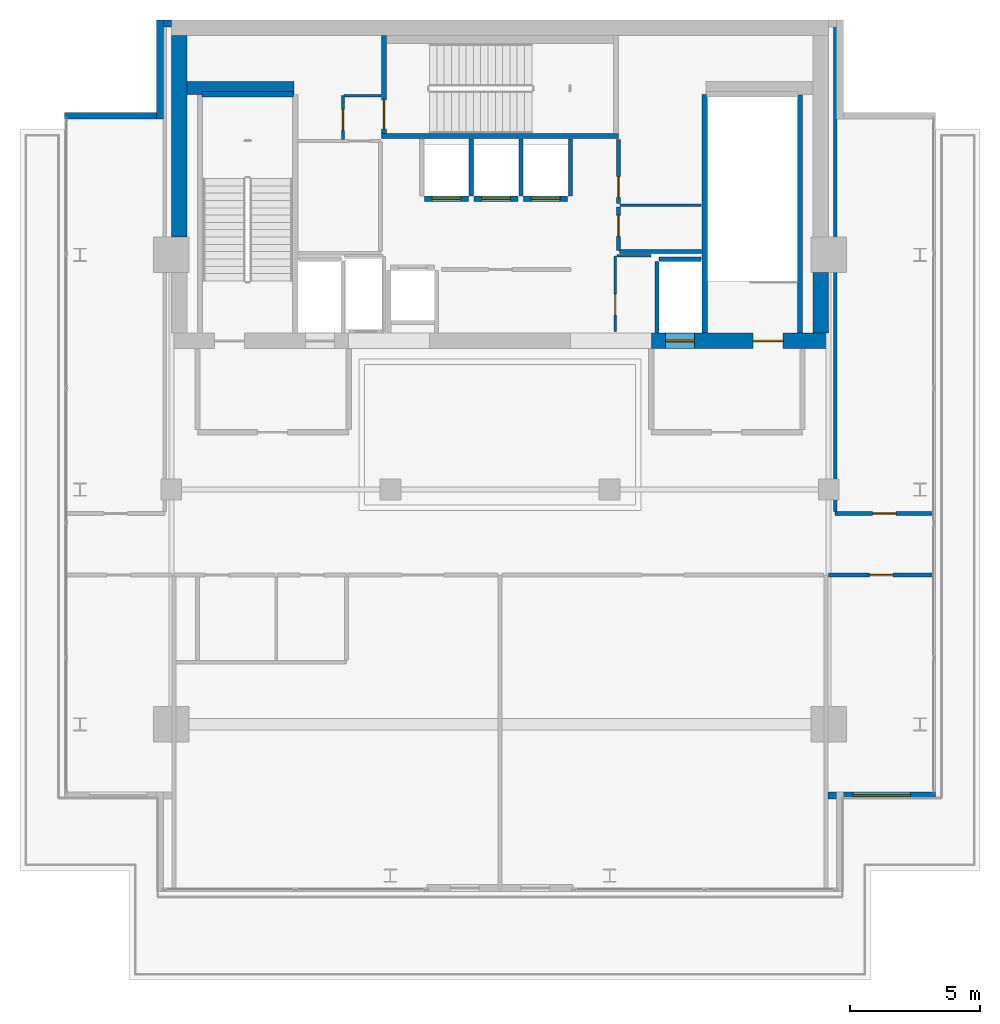
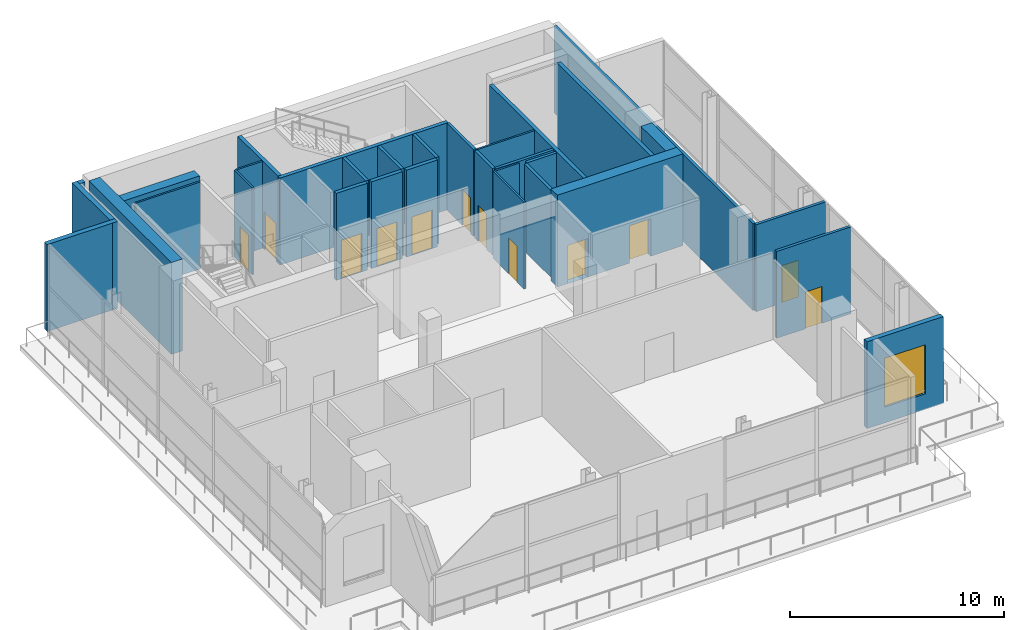
# One storey, part 14 of 19: 32 walls, 12 doors, 1 window, 13 openings.
"""IFC4 building model written with IfcOpenShell, lengths in metres."""

from ifc_helpers import new_model, si_unit, direction, frame, frame_2d, origin, place, context, subcontext, project, spatial, rectangle, extrude, material, layer, layer_set, type_object, element, fill, save


model = new_model("IFC4")

# Units and contexts
model_context = context("Model", 3, precision=1e-05, world=origin(), true_north=direction((0.0, 1.0)))
body_context = subcontext(model_context, "Body", "Model", "MODEL_VIEW")
ifc_project = project(units=[si_unit("LENGTHUNIT", "METRE"), si_unit("AREAUNIT", "SQUARE_METRE"), si_unit("VOLUMEUNIT", "CUBIC_METRE"), si_unit("PLANEANGLEUNIT", "RADIAN"), si_unit("MASSUNIT", "GRAM", prefix="KILO")], contexts=[model_context])

# Site, building, storey
site_placement = place(None, origin())
site = spatial("IfcSite", under=ifc_project, at=site_placement, CompositionType="ELEMENT")
building_placement = place(site_placement, origin())
building = spatial("IfcBuilding", under=site, at=building_placement, Name="Maruvema Waterfront Hotel and Observation Tower", CompositionType="ELEMENT")
storey_placement = place(building_placement, frame((0.0, 0.0, 359.10009765625)))
storey = spatial("IfcBuildingStorey", under=building, at=storey_placement, Name="L88", CompositionType="ELEMENT", Elevation=359.10009765625)

# Wall, opening, door
ifc_material_1 = material(Name="Twin-stud acoustic gypsum drywall", Category="gypsum")
ifc_layer_1 = layer(ifc_material_1, 0.14990234375, Name="Acoustic Corridor and Suite Demising Wall 150 mm")
ifc_layer_set_1 = layer_set([ifc_layer_1], Name="Twin-stud acoustic gypsum drywall")
wall_type_1 = type_object("IfcWallType", Name="Acoustic Corridor and Suite Demising Wall 150 mm", PredefinedType="PARTITIONING", material=ifc_layer_set_1)
wall_1_placement = place(storey_placement, frame((42.340087890625, 45.159912109375, 0.0), z_axis=(0.0, 0.0, 1.0), x_axis=(0.0, 1.0, 0.0)))
wall_1 = element("IfcWall", 1, at=wall_1_placement, inside=storey, type_object=wall_type_1, Name="L88 Freed B2 West S 018", PredefinedType="PARTITIONING", context=body_context, shape_type="SweptSolid", body=[
    extrude(rectangle(XDim=1.68017578125, YDim=0.14990234375, at=frame_2d((0.840087890625, 0.0))), origin(), (0.0, 0.0, 1.0), 4.969970703125),
])
opening_1_placement = place(wall_1_placement, frame((0.550048828125, 0.0, 0.0)))
opening_1 = element("IfcOpeningElement", 2, at=opening_1_placement, cuts=wall_1, Name="Opening DR-080", PredefinedType="OPENING", context=body_context, shape_type="SweptSolid", body=[
    extrude(rectangle(XDim=0.800048828125, YDim=2.050048828125, at=frame_2d((0.39990234375, 1.02490234375))), frame((0.0, 0.0849609375, 0.0), z_axis=(0.0, -1.0, 0.0), x_axis=(1.0, 0.0, 0.0)), (0.0, 0.0, 1.0), 0.169921875),
])
ifc_material_2 = material(Name="Powder-coated steel access leaf", Category="steel")
door_type_1 = type_object("IfcDoorType", Name="Riser and Service Cupboard Door 800x2050 mm", OperationType="NOTDEFINED", PredefinedType="DOOR", material=ifc_material_2)
door_1_placement = place(opening_1_placement, frame((0.800048828125, 0.0, 0.0), z_axis=(0.0, 0.0, 1.0), x_axis=(-1.0, 0.0, 0.0)))
door_1 = element("IfcDoor", 3, at=door_1_placement, inside=storey, type_object=door_type_1, Name="L88 Butler Service Pantry Door", OperationType="SINGLE_SWING_LEFT", OverallHeight=2.050048828125, OverallWidth=0.800048828125, PredefinedType="DOOR", context=body_context, shape_type="SweptSolid", body=[
    extrude(rectangle(XDim=0.800048828125, YDim=2.050048828125, at=frame_2d((0.39990234375, 1.02490234375))), frame((0.0, 0.02490234375, 0.0), z_axis=(0.0, -1.0, 0.0), x_axis=(1.0, 0.0, 0.0)), (0.0, 0.0, 1.0), 0.050048828125),
])
fill(opening_1, door_1)

wall_2_placement = place(storey_placement, frame((42.340087890625, 46.9599609375, 0.0), z_axis=(0.0, 0.0, 1.0), x_axis=(0.0, 1.0, 0.0)))
wall_2 = element("IfcWall", 4, at=wall_2_placement, inside=storey, type_object=wall_type_1, Name="L88 Freed B2 West N 019", PredefinedType="PARTITIONING", context=body_context, shape_type="SweptSolid", body=[
    extrude(rectangle(XDim=2.4599609375, YDim=0.14990234375, at=frame_2d((1.22998046875, 0.0))), origin(), (0.0, 0.0, 1.0), 4.969970703125),
])
opening_2_placement = place(wall_2_placement, frame((0.239990234375, 0.0, 0.0)))
opening_2 = element("IfcOpeningElement", 5, at=opening_2_placement, cuts=wall_2, Name="Opening DR-080", PredefinedType="OPENING", context=body_context, shape_type="SweptSolid", body=[
    extrude(rectangle(XDim=0.800048828125, YDim=2.050048828125, at=frame_2d((0.39990234375, 1.02490234375))), frame((0.0, 0.0849609375, 0.0), z_axis=(0.0, -1.0, 0.0), x_axis=(1.0, 0.0, 0.0)), (0.0, 0.0, 1.0), 0.169921875),
])
door_2_placement = place(opening_2_placement, frame((0.800048828125, 0.0, 0.0), z_axis=(0.0, 0.0, 1.0), x_axis=(-1.0, 0.0, 0.0)))
door_2 = element("IfcDoor", 6, at=door_2_placement, inside=storey, type_object=door_type_1, Name="L88 Core IT and Linen Store Door", OperationType="SINGLE_SWING_RIGHT", OverallHeight=2.050048828125, OverallWidth=0.800048828125, PredefinedType="DOOR", context=body_context, shape_type="SweptSolid", body=[
    extrude(rectangle(XDim=0.800048828125, YDim=2.050048828125, at=frame_2d((0.39990234375, 1.02490234375))), frame((0.0, 0.02490234375, 0.0), z_axis=(0.0, -1.0, 0.0), x_axis=(1.0, 0.0, 0.0)), (0.0, 0.0, 1.0), 0.050048828125),
])
fill(opening_2, door_2)

# Wall
wall_3_placement = place(storey_placement, frame((42.3798828125, 45.1201171875, 0.0), z_axis=(0.0, 0.0, 1.0), x_axis=(1.0, 0.0, 0.0)))
element("IfcWall", 7, at=wall_3_placement, inside=storey, type_object=wall_type_1, Name="L88 Freed B2 South Wall 021", PredefinedType="PARTITIONING", context=body_context, shape_type="SweptSolid", body=[
    extrude(rectangle(XDim=3.14013671875, YDim=0.14990234375, at=frame_2d((1.570068359375, 0.0))), origin(), (0.0, 0.0, 1.0), 4.969970703125),
])

# Wall, opening, door
wall_4_placement = place(storey_placement, frame((50.39990234375, 32.719970703125, 0.0), z_axis=(0.0, 0.0, 1.0), x_axis=(1.0, 0.0, 0.0)))
wall_4 = element("IfcWall", 8, at=wall_4_placement, inside=storey, type_object=wall_type_1, Name="L88 L88 Gift North 034", PredefinedType="PARTITIONING", context=body_context, shape_type="SweptSolid", body=[
    extrude(rectangle(XDim=4.02001953125, YDim=0.14990234375, at=frame_2d((2.010009765625, 0.0))), origin(), (0.0, 0.0, 1.0), 4.969970703125),
])
opening_3_placement = place(wall_4_placement, frame((1.56005859375, 0.0, 0.0)))
opening_3 = element("IfcOpeningElement", 9, at=opening_3_placement, cuts=wall_4, Name="Opening DR-090", PredefinedType="OPENING", context=body_context, shape_type="SweptSolid", body=[
    extrude(rectangle(XDim=0.89990234375, YDim=2.10009765625, at=frame_2d((0.449951171875, 1.050048828125))), frame((0.0, 0.0849609375, 0.0), z_axis=(0.0, -1.0, 0.0), x_axis=(1.0, 0.0, 0.0)), (0.0, 0.0, 1.0), 0.169921875),
])
ifc_material_3 = material(Name="Solid-core lacquered timber leaf", Category="wood")
door_type_2 = type_object("IfcDoorType", Name="Accessible Toilet and Room Door 900x2100 mm", OperationType="NOTDEFINED", PredefinedType="DOOR", material=ifc_material_3)
door_3_placement = place(opening_3_placement, origin())
door_3 = element("IfcDoor", 10, at=door_3_placement, inside=storey, type_object=door_type_2, Name="L88 Gift Boutique Door", OperationType="SINGLE_SWING_RIGHT", OverallHeight=2.10009765625, OverallWidth=0.89990234375, PredefinedType="DOOR", context=body_context, shape_type="SweptSolid", body=[
    extrude(rectangle(XDim=0.89990234375, YDim=2.10009765625, at=frame_2d((0.449951171875, 1.050048828125))), frame((0.0, 0.02490234375, 0.0), z_axis=(0.0, -1.0, 0.0), x_axis=(1.0, 0.0, 0.0)), (0.0, 0.0, 1.0), 0.050048828125),
])
fill(opening_3, door_3)

wall_5_placement = place(storey_placement, frame((50.64990234375, 35.080078125, 0.0), z_axis=(0.0, 0.0, 1.0), x_axis=(1.0, 0.0, 0.0)))
wall_5 = element("IfcWall", 11, at=wall_5_placement, inside=storey, type_object=wall_type_1, Name="L88 L88 Pantry South 037", PredefinedType="PARTITIONING", context=body_context, shape_type="SweptSolid", body=[
    extrude(rectangle(XDim=3.77001953125, YDim=0.14990234375, at=frame_2d((1.885009765625, 0.0))), origin(), (0.0, 0.0, 1.0), 4.969970703125),
])
opening_4_placement = place(wall_5_placement, frame((1.43505859375, 0.0, 0.0)))
opening_4 = element("IfcOpeningElement", 12, at=opening_4_placement, cuts=wall_5, Name="Opening DR-090", PredefinedType="OPENING", context=body_context, shape_type="SweptSolid", body=[
    extrude(rectangle(XDim=0.89990234375, YDim=2.10009765625, at=frame_2d((0.449951171875, 1.050048828125))), frame((0.0, 0.0849609375, 0.0), z_axis=(0.0, -1.0, 0.0), x_axis=(1.0, 0.0, 0.0)), (0.0, 0.0, 1.0), 0.169921875),
])
door_4_placement = place(opening_4_placement, frame((0.89990234375, 0.0, 0.0), z_axis=(0.0, 0.0, 1.0), x_axis=(-1.0, 0.0, 0.0)))
door_4 = element("IfcDoor", 13, at=door_4_placement, inside=storey, type_object=door_type_2, Name="L88 Espresso Pantry Door", OperationType="SINGLE_SWING_RIGHT", OverallHeight=2.10009765625, OverallWidth=0.89990234375, PredefinedType="DOOR", context=body_context, shape_type="SweptSolid", body=[
    extrude(rectangle(XDim=0.89990234375, YDim=2.10009765625, at=frame_2d((0.449951171875, 1.050048828125))), frame((0.0, 0.02490234375, 0.0), z_axis=(0.0, -1.0, 0.0), x_axis=(1.0, 0.0, 0.0)), (0.0, 0.0, 1.0), 0.050048828125),
])
fill(opening_4, door_4)

# Walls
wall_6_placement = place(storey_placement, frame((50.64990234375, 35.14990234375, 0.0), z_axis=(0.0, 0.0, 1.0), x_axis=(0.0, 1.0, 0.0)))
element("IfcWall", 14, at=wall_6_placement, inside=storey, type_object=wall_type_1, Name="L88 L88 Pantry West 038", PredefinedType="PARTITIONING", context=body_context, shape_type="SweptSolid", body=[
    extrude(rectangle(XDim=18.650146484375, YDim=0.14990234375, at=frame_2d((9.3251953125, 0.0))), origin(), (0.0, 0.0, 1.0), 4.969970703125),
])
ifc_material_4 = material(Name="Precast concrete C45/55", Category="concrete")
ifc_layer_2 = layer(ifc_material_4, 0.199951171875, Name="Core Shaft and Stairwell Enclosure Wall 200 mm")
ifc_layer_set_2 = layer_set([ifc_layer_2], Name="Precast concrete C45/55")
wall_type_2 = type_object("IfcWallType", Name="Core Shaft and Stairwell Enclosure Wall 200 mm", PredefinedType="SOLIDWALL", material=ifc_layer_set_2)
wall_7_placement = place(storey_placement, frame((26.3798828125, 51.14990234375, 0.0), z_axis=(0.0, 0.0, 1.0), x_axis=(1.0, 0.0, 0.0)))
element("IfcWall", 15, at=wall_7_placement, inside=storey, type_object=wall_type_2, Name="L88 Stairwell ST-01 Shaft Lining Wall", PredefinedType="SOLIDWALL", context=body_context, shape_type="SweptSolid", body=[
    extrude(rectangle(XDim=3.5, YDim=0.199951171875, at=frame_2d((1.75, 0.0))), origin(), (0.0, 0.0, 1.0), 4.969970703125),
])
wall_8_placement = place(storey_placement, frame((33.25, 49.550048828125, 0.0), z_axis=(0.0, 0.0, 1.0), x_axis=(1.0, 0.0, 0.0)))
element("IfcWall", 16, at=wall_8_placement, inside=storey, type_object=wall_type_2, Name="L88 Stairwell ST-02 Shaft Wall", PredefinedType="SOLIDWALL", context=body_context, shape_type="SweptSolid", body=[
    extrude(rectangle(XDim=9.10009765625, YDim=0.199951171875, at=frame_2d((4.550048828125, 0.0))), origin(), (0.0, 0.0, 1.0), 4.969970703125),
])

# Wall, opening, door
wall_9_placement = place(storey_placement, frame((33.35009765625, 49.64990234375, 0.0), z_axis=(0.0, 0.0, 1.0), x_axis=(0.0, 1.0, 0.0)))
wall_9 = element("IfcWall", 17, at=wall_9_placement, inside=storey, type_object=wall_type_2, Name="L88 Stairwell ST-02 Shaft Wall", PredefinedType="SOLIDWALL", context=body_context, shape_type="SweptSolid", body=[
    extrude(rectangle(XDim=3.75, YDim=0.199951171875, at=frame_2d((1.875, 0.0))), origin(), (0.0, 0.0, 1.0), 4.969970703125),
])
opening_5_placement = place(wall_9_placement, frame((0.179931640625, 0.0, 0.0)))
opening_5 = element("IfcOpeningElement", 18, at=opening_5_placement, cuts=wall_9, Name="Opening SD-02", PredefinedType="OPENING", context=body_context, shape_type="SweptSolid", body=[
    extrude(rectangle(XDim=1.10009765625, YDim=2.14990234375, at=frame_2d((0.550048828125, 1.074951171875))), frame((0.0, 0.10986328125, 0.0), z_axis=(0.0, -1.0, 0.0), x_axis=(1.0, 0.0, 0.0)), (0.0, 0.0, 1.0), 0.219970703125),
])
ifc_material_5 = material(Name="Fire-rated galvanised steel leaf", Category="steel")
door_type_3 = type_object("IfcDoorType", Name="Central Exit Stair Fire Door 1100x2150 mm", OperationType="NOTDEFINED", PredefinedType="DOOR", material=ifc_material_5)
door_5_placement = place(opening_5_placement, frame((1.10009765625, 0.0, 0.0), z_axis=(0.0, 0.0, 1.0), x_axis=(-1.0, 0.0, 0.0)))
door_5 = element("IfcDoor", 19, at=door_5_placement, inside=storey, type_object=door_type_3, Name="L88 Exit Stair ST-02 Fire Door", OperationType="SINGLE_SWING_LEFT", OverallHeight=2.14990234375, OverallWidth=1.10009765625, PredefinedType="DOOR", context=body_context, shape_type="SweptSolid", body=[
    extrude(rectangle(XDim=1.10009765625, YDim=2.14990234375, at=frame_2d((0.550048828125, 1.074951171875))), frame((0.0, 0.02490234375, 0.0), z_axis=(0.0, -1.0, 0.0), x_axis=(1.0, 0.0, 0.0)), (0.0, 0.0, 1.0), 0.050048828125),
])
fill(opening_5, door_5)

# Walls
wall_10_placement = place(storey_placement, frame((45.64990234375, 42.0, 0.0), z_axis=(0.0, 0.0, 1.0), x_axis=(0.0, 1.0, 0.0)))
element("IfcWall", 20, at=wall_10_placement, inside=storey, type_object=wall_type_2, Name="L88 Stairwell ST-03 West Shaft Wall", PredefinedType="SOLIDWALL", context=body_context, shape_type="SweptSolid", body=[
    extrude(rectangle(XDim=9.14990234375, YDim=0.199951171875, at=frame_2d((4.574951171875, 0.0))), origin(), (0.0, 0.0, 1.0), 4.969970703125),
])
wall_11_placement = place(storey_placement, frame((49.300048828125, 42.0, 0.0), z_axis=(0.0, 0.0, 1.0), x_axis=(0.0, 1.0, 0.0)))
element("IfcWall", 21, at=wall_11_placement, inside=storey, type_object=wall_type_2, Name="L88 Stairwell ST-03 Shaft Lining Wall", PredefinedType="SOLIDWALL", context=body_context, shape_type="SweptSolid", body=[
    extrude(rectangle(XDim=9.1201171875, YDim=0.199951171875, at=frame_2d((4.56005859375, 0.0))), origin(), (0.0, 0.0, 1.0), 4.969970703125),
])

# Wall, opening, door
wall_12_placement = place(storey_placement, frame((34.909912109375, 47.14990234375, 0.0), z_axis=(0.0, 0.0, 1.0), x_axis=(1.0, 0.0, 0.0)))
wall_12 = element("IfcWall", 22, at=wall_12_placement, inside=storey, type_object=wall_type_2, Name="L88 Lift LF-12 Hoistway Front Wall", PredefinedType="SOLIDWALL", context=body_context, shape_type="SweptSolid", body=[
    extrude(rectangle(XDim=1.68017578125, YDim=0.199951171875, at=frame_2d((0.840087890625, 0.0))), origin(), (0.0, 0.0, 1.0), 4.969970703125),
])
opening_6_placement = place(wall_12_placement, frame((0.2900390625, 0.0, 0.0)))
opening_6 = element("IfcOpeningElement", 23, at=opening_6_placement, cuts=wall_12, Name="Opening LD-02", PredefinedType="OPENING", context=body_context, shape_type="SweptSolid", body=[
    extrude(rectangle(XDim=1.10009765625, YDim=2.199951171875, at=frame_2d((0.550048828125, 1.10009765625))), frame((0.0, 0.10986328125, 0.0), z_axis=(0.0, -1.0, 0.0), x_axis=(1.0, 0.0, 0.0)), (0.0, 0.0, 1.0), 0.219970703125),
])
ifc_material_6 = material(Name="Brushed stainless steel Grade 316", Category="steel")
door_type_4 = type_object("IfcDoorType", Name="Shuttle Lift Sliding Landing Door 1100x2200 mm", OperationType="SLIDING_TO_RIGHT", PredefinedType="DOOR", material=ifc_material_6)
door_6_placement = place(opening_6_placement, frame((1.10009765625, 0.0, 0.0), z_axis=(0.0, 0.0, 1.0), x_axis=(-1.0, 0.0, 0.0)))
door_6 = element("IfcDoor", 24, at=door_6_placement, inside=storey, type_object=door_type_4, Name="L88 Lift LF-12 Sliding Landing Door", OperationType="SLIDING_TO_RIGHT", OverallHeight=2.199951171875, OverallWidth=1.10009765625, PredefinedType="DOOR", context=body_context, shape_type="SweptSolid", body=[
    extrude(rectangle(XDim=1.10009765625, YDim=2.199951171875, at=frame_2d((0.550048828125, 1.10009765625))), frame((0.0, 0.02490234375, 0.0), z_axis=(0.0, -1.0, 0.0), x_axis=(1.0, 0.0, 0.0)), (0.0, 0.0, 1.0), 0.050048828125),
])
fill(opening_6, door_6)

wall_13_placement = place(storey_placement, frame((36.81005859375, 47.14990234375, 0.0), z_axis=(0.0, 0.0, 1.0), x_axis=(1.0, 0.0, 0.0)))
wall_13 = element("IfcWall", 25, at=wall_13_placement, inside=storey, type_object=wall_type_2, Name="L88 Lift LF-13 Hoistway Front Wall", PredefinedType="SOLIDWALL", context=body_context, shape_type="SweptSolid", body=[
    extrude(rectangle(XDim=1.679931640625, YDim=0.199951171875, at=frame_2d((0.83984375, 0.0))), origin(), (0.0, 0.0, 1.0), 4.969970703125),
])
opening_7_placement = place(wall_13_placement, frame((0.2900390625, 0.0, 0.0)))
opening_7 = element("IfcOpeningElement", 26, at=opening_7_placement, cuts=wall_13, Name="Opening LD-02", PredefinedType="OPENING", context=body_context, shape_type="SweptSolid", body=[
    extrude(rectangle(XDim=1.10009765625, YDim=2.199951171875, at=frame_2d((0.550048828125, 1.10009765625))), frame((0.0, 0.10986328125, 0.0), z_axis=(0.0, -1.0, 0.0), x_axis=(1.0, 0.0, 0.0)), (0.0, 0.0, 1.0), 0.219970703125),
])
door_7_placement = place(opening_7_placement, frame((1.10009765625, 0.0, 0.0), z_axis=(0.0, 0.0, 1.0), x_axis=(-1.0, 0.0, 0.0)))
door_7 = element("IfcDoor", 27, at=door_7_placement, inside=storey, type_object=door_type_4, Name="L88 Lift LF-13 Sliding Landing Door", OperationType="SLIDING_TO_RIGHT", OverallHeight=2.199951171875, OverallWidth=1.10009765625, PredefinedType="DOOR", context=body_context, shape_type="SweptSolid", body=[
    extrude(rectangle(XDim=1.10009765625, YDim=2.199951171875, at=frame_2d((0.550048828125, 1.10009765625))), frame((0.0, 0.02490234375, 0.0), z_axis=(0.0, -1.0, 0.0), x_axis=(1.0, 0.0, 0.0)), (0.0, 0.0, 1.0), 0.050048828125),
])
fill(opening_7, door_7)

wall_14_placement = place(storey_placement, frame((38.7099609375, 47.14990234375, 0.0), z_axis=(0.0, 0.0, 1.0), x_axis=(1.0, 0.0, 0.0)))
wall_14 = element("IfcWall", 28, at=wall_14_placement, inside=storey, type_object=wall_type_2, Name="L88 Lift LF-14 Hoistway Front Wall", PredefinedType="SOLIDWALL", context=body_context, shape_type="SweptSolid", body=[
    extrude(rectangle(XDim=1.679931640625, YDim=0.199951171875, at=frame_2d((0.83984375, 0.0))), origin(), (0.0, 0.0, 1.0), 4.969970703125),
])
opening_8_placement = place(wall_14_placement, frame((0.2900390625, 0.0, 0.0)))
opening_8 = element("IfcOpeningElement", 29, at=opening_8_placement, cuts=wall_14, Name="Opening LD-02", PredefinedType="OPENING", context=body_context, shape_type="SweptSolid", body=[
    extrude(rectangle(XDim=1.10009765625, YDim=2.199951171875, at=frame_2d((0.550048828125, 1.10009765625))), frame((0.0, 0.10986328125, 0.0), z_axis=(0.0, -1.0, 0.0), x_axis=(1.0, 0.0, 0.0)), (0.0, 0.0, 1.0), 0.219970703125),
])
door_8_placement = place(opening_8_placement, frame((1.10009765625, 0.0, 0.0), z_axis=(0.0, 0.0, 1.0), x_axis=(-1.0, 0.0, 0.0)))
door_8 = element("IfcDoor", 30, at=door_8_placement, inside=storey, type_object=door_type_4, Name="L88 Lift LF-14 Sliding Landing Door", OperationType="SLIDING_TO_RIGHT", OverallHeight=2.199951171875, OverallWidth=1.10009765625, PredefinedType="DOOR", context=body_context, shape_type="SweptSolid", body=[
    extrude(rectangle(XDim=1.10009765625, YDim=2.199951171875, at=frame_2d((0.550048828125, 1.10009765625))), frame((0.0, 0.02490234375, 0.0), z_axis=(0.0, -1.0, 0.0), x_axis=(1.0, 0.0, 0.0)), (0.0, 0.0, 1.0), 0.050048828125),
])
fill(opening_8, door_8)

# Wall
ifc_material_7 = material(Name="Concrete C70/85", Category="concrete")
ifc_layer_3 = layer(ifc_material_7, 0.5, Name="Core Shear Wall 500 mm")
ifc_layer_set_3 = layer_set([ifc_layer_3], Name="Concrete C70/85")
wall_type_3 = type_object("IfcWallType", Name="Core Shear Wall 500 mm", PredefinedType="SHEAR", material=ifc_layer_set_3)
wall_15_placement = place(storey_placement, frame((25.800048828125, 51.39990234375, 0.0), z_axis=(0.0, 0.0, 1.0), x_axis=(1.0, 0.0, 0.0)))
element("IfcWall", 31, at=wall_15_placement, inside=storey, type_object=wall_type_3, Name="L88 Internal Core Shear Wall NW 500 mm", PredefinedType="SHEAR", context=body_context, shape_type="SweptSolid", body=[
    extrude(rectangle(XDim=4.099853515625, YDim=0.5, at=frame_2d((2.0498046875, 0.0))), origin(), (0.0, 0.0, 1.0), 5.25),
])

# Wall, openings, doors
ifc_material_8 = material(Name="Concrete C60/75", Category="concrete")
ifc_layer_4 = layer(ifc_material_8, 0.60009765625, Name="Core Shear Wall 600 mm")
ifc_layer_set_4 = layer_set([ifc_layer_4], Name="Concrete C60/75")
wall_type_4 = type_object("IfcWallType", Name="Core Shear Wall 600 mm", PredefinedType="SHEAR", material=ifc_layer_set_4)
wall_16_placement = place(storey_placement, frame((43.60009765625, 41.699951171875, 0.0), z_axis=(0.0, 0.0, 1.0), x_axis=(1.0, 0.0, 0.0)))
wall_16 = element("IfcWall", 32, at=wall_16_placement, inside=storey, type_object=wall_type_4, Name="L88 South-East Core Shear Wall", PredefinedType="SHEAR", context=body_context, shape_type="SweptSolid", body=[
    extrude(rectangle(XDim=6.7998046875, YDim=0.60009765625, at=frame_2d((3.39990234375, 0.0))), origin(), (0.0, 0.0, 1.0), 5.25),
])
opening_9_placement = place(wall_16_placement, frame((3.89990234375, 0.0, 0.0)))
opening_9 = element("IfcOpeningElement", 33, at=opening_9_placement, cuts=wall_16, Name="Opening SD-01", PredefinedType="OPENING", context=body_context, shape_type="SweptSolid", body=[
    extrude(rectangle(XDim=1.14990234375, YDim=2.14990234375, at=frame_2d((0.574951171875, 1.074951171875))), frame((0.0, 0.31005859375, 0.0), z_axis=(0.0, -1.0, 0.0), x_axis=(1.0, 0.0, 0.0)), (0.0, 0.0, 1.0), 0.6201171875),
])
opening_10_placement = place(wall_16_placement, frame((0.550048828125, 0.0, 0.0)))
opening_10 = element("IfcOpeningElement", 34, at=opening_10_placement, cuts=wall_16, Name="Opening LD-03", PredefinedType="OPENING", context=body_context, shape_type="SweptSolid", body=[
    extrude(rectangle(XDim=1.10009765625, YDim=2.199951171875, at=frame_2d((0.550048828125, 1.10009765625))), frame((0.0, 0.31005859375, 0.0), z_axis=(0.0, -1.0, 0.0), x_axis=(1.0, 0.0, 0.0)), (0.0, 0.0, 1.0), 0.6201171875),
])
ifc_material_9 = material(Name="Fire-rated galvanised steel leaf", Category="steel")
door_type_5 = type_object("IfcDoorType", Name="Exit Stair Fire Door 1150x2150 mm", OperationType="NOTDEFINED", PredefinedType="DOOR", material=ifc_material_9)
door_9_placement = place(opening_9_placement, origin())
door_9 = element("IfcDoor", 35, at=door_9_placement, inside=storey, type_object=door_type_5, Name="L88 Exit Stair ST-03 Fire Door", OperationType="SINGLE_SWING_RIGHT", OverallHeight=2.14990234375, OverallWidth=1.14990234375, PredefinedType="DOOR", context=body_context, shape_type="SweptSolid", body=[
    extrude(rectangle(XDim=1.14990234375, YDim=2.14990234375, at=frame_2d((0.574951171875, 1.074951171875))), frame((0.0, 0.02490234375, 0.0), z_axis=(0.0, -1.0, 0.0), x_axis=(1.0, 0.0, 0.0)), (0.0, 0.0, 1.0), 0.050048828125),
])
fill(opening_9, door_9)
ifc_material_10 = material(Name="Brushed stainless steel Grade 316", Category="steel")
door_type_6 = type_object("IfcDoorType", Name="Firefighting Lift Sliding Landing Door 1100x2200 mm", OperationType="SLIDING_TO_LEFT", PredefinedType="DOOR", material=ifc_material_10)
door_10_placement = place(opening_10_placement, frame((1.10009765625, 0.0, 0.0), z_axis=(0.0, 0.0, 1.0), x_axis=(-1.0, 0.0, 0.0)))
door_10 = element("IfcDoor", 36, at=door_10_placement, inside=storey, type_object=door_type_6, Name="L88 Firefighting Lift FL-02 Landing Door", OperationType="SLIDING_TO_LEFT", OverallHeight=2.199951171875, OverallWidth=1.10009765625, PredefinedType="DOOR", context=body_context, shape_type="SweptSolid", body=[
    extrude(rectangle(XDim=1.10009765625, YDim=2.199951171875, at=frame_2d((0.550048828125, 1.10009765625))), frame((0.0, 0.02490234375, 0.0), z_axis=(0.0, -1.0, 0.0), x_axis=(1.0, 0.0, 0.0)), (0.0, 0.0, 1.0), 0.050048828125),
])
fill(opening_10, door_10)

# Walls
wall_17_placement = place(storey_placement, frame((25.5, 45.675048828125, 0.0), z_axis=(0.0, 0.0, 1.0), x_axis=(0.0, 1.0, 0.0)))
element("IfcWall", 37, at=wall_17_placement, inside=storey, type_object=wall_type_4, Name="L88 West-North Core Shear Wall", PredefinedType="SHEAR", context=body_context, shape_type="SweptSolid", body=[
    extrude(rectangle(XDim=7.724853515625, YDim=0.60009765625, at=frame_2d((3.8623046875, 0.0))), origin(), (0.0, 0.0, 1.0), 5.25),
])
wall_18_placement = place(storey_placement, frame((50.10009765625, 42.0, 0.0), z_axis=(0.0, 0.0, 1.0), x_axis=(0.0, 1.0, 0.0)))
element("IfcWall", 38, at=wall_18_placement, inside=storey, type_object=wall_type_4, Name="L88 East-South Core Shear Wall", PredefinedType="SHEAR", context=body_context, shape_type="SweptSolid", body=[
    extrude(rectangle(XDim=2.324951171875, YDim=0.60009765625, at=frame_2d((1.16259765625, 0.0))), origin(), (0.0, 0.0, 1.0), 5.25),
])

# Wall, opening, door
ifc_material_11 = material(Name="Moisture-resistant cement-board drywall", Category="gypsum")
ifc_layer_5 = layer(ifc_material_11, 0.10009765625, Name="En-Suite Moisture-Resistant Partition 100 mm")
ifc_layer_set_5 = layer_set([ifc_layer_5], Name="Moisture-resistant cement-board drywall")
wall_type_5 = type_object("IfcWallType", Name="En-Suite Moisture-Resistant Partition 100 mm", PredefinedType="PARTITIONING", material=ifc_layer_set_5)
wall_19_placement = place(storey_placement, frame((42.219970703125, 42.050048828125, 0.0), z_axis=(0.0, 0.0, 1.0), x_axis=(0.0, 1.0, 0.0)))
wall_19 = element("IfcWall", 39, at=wall_19_placement, inside=storey, type_object=wall_type_5, Name="L88 Core Closet K1 West 010", PredefinedType="PARTITIONING", context=body_context, shape_type="SweptSolid", body=[
    extrude(rectangle(XDim=2.909912109375, YDim=0.10009765625, at=frame_2d((1.455078125, 0.0))), origin(), (0.0, 0.0, 1.0), 4.969970703125),
])
opening_11_placement = place(wall_19_placement, frame((0.64990234375, 0.0, 0.0)))
opening_11 = element("IfcOpeningElement", 40, at=opening_11_placement, cuts=wall_19, Name="Opening DR-080", PredefinedType="OPENING", context=body_context, shape_type="SweptSolid", body=[
    extrude(rectangle(XDim=0.800048828125, YDim=2.050048828125, at=frame_2d((0.39990234375, 1.02490234375))), frame((0.0, 0.06005859375, 0.0), z_axis=(0.0, -1.0, 0.0), x_axis=(1.0, 0.0, 0.0)), (0.0, 0.0, 1.0), 0.1201171875),
])
door_11_placement = place(opening_11_placement, frame((0.800048828125, 0.0, 0.0), z_axis=(0.0, 0.0, 1.0), x_axis=(-1.0, 0.0, 0.0)))
door_11 = element("IfcDoor", 41, at=door_11_placement, inside=storey, type_object=door_type_1, Name="L88 Core Cleaning Store Door", OperationType="SINGLE_SWING_LEFT", OverallHeight=2.050048828125, OverallWidth=0.800048828125, PredefinedType="DOOR", context=body_context, shape_type="SweptSolid", body=[
    extrude(rectangle(XDim=0.800048828125, YDim=2.050048828125, at=frame_2d((0.39990234375, 1.02490234375))), frame((0.0, 0.02490234375, 0.0), z_axis=(0.0, -1.0, 0.0), x_axis=(1.0, 0.0, 0.0)), (0.0, 0.0, 1.0), 0.050048828125),
])
fill(opening_11, door_11)

# Wall
wall_20_placement = place(storey_placement, frame((42.280029296875, 44.9599609375, 0.0), z_axis=(0.0, 0.0, 1.0), x_axis=(1.0, 0.0, 0.0)))
element("IfcWall", 42, at=wall_20_placement, inside=storey, type_object=wall_type_5, Name="L88 Core Closet K1 North 011", PredefinedType="PARTITIONING", context=body_context, shape_type="SweptSolid", body=[
    extrude(rectangle(XDim=1.300048828125, YDim=0.10009765625, at=frame_2d((0.64990234375, 0.0))), origin(), (0.0, 0.0, 1.0), 4.969970703125),
])

# Wall, opening, door
wall_21_placement = place(storey_placement, frame((31.780029296875, 49.419921875, 0.0), z_axis=(0.0, 0.0, 1.0), x_axis=(0.0, 1.0, 0.0)))
wall_21 = element("IfcWall", 43, at=wall_21_placement, inside=storey, type_object=wall_type_5, Name="L88 Freed B1 NW East Wall 016", PredefinedType="PARTITIONING", context=body_context, shape_type="SweptSolid", body=[
    extrude(rectangle(XDim=1.68017578125, YDim=0.10009765625, at=frame_2d((0.840087890625, 0.0))), origin(), (0.0, 0.0, 1.0), 4.969970703125),
])
opening_12_placement = place(wall_21_placement, frame((0.35009765625, 0.0, 0.0)))
opening_12 = element("IfcOpeningElement", 44, at=opening_12_placement, cuts=wall_21, Name="Opening DR-080", PredefinedType="OPENING", context=body_context, shape_type="SweptSolid", body=[
    extrude(rectangle(XDim=0.800048828125, YDim=2.050048828125, at=frame_2d((0.39990234375, 1.02490234375))), frame((0.0, 0.06005859375, 0.0), z_axis=(0.0, -1.0, 0.0), x_axis=(1.0, 0.0, 0.0)), (0.0, 0.0, 1.0), 0.1201171875),
])
door_12_placement = place(opening_12_placement, origin())
door_12 = element("IfcDoor", 45, at=door_12_placement, inside=storey, type_object=door_type_1, Name="L88 Guest Floor Pantry Door", OperationType="SINGLE_SWING_RIGHT", OverallHeight=2.050048828125, OverallWidth=0.800048828125, PredefinedType="DOOR", context=body_context, shape_type="SweptSolid", body=[
    extrude(rectangle(XDim=0.800048828125, YDim=2.050048828125, at=frame_2d((0.39990234375, 1.02490234375))), frame((0.0, 0.02490234375, 0.0), z_axis=(0.0, -1.0, 0.0), x_axis=(1.0, 0.0, 0.0)), (0.0, 0.0, 1.0), 0.050048828125),
])
fill(opening_12, door_12)

# Walls
wall_22_placement = place(storey_placement, frame((31.820068359375, 51.10009765625, 0.0), z_axis=(0.0, 0.0, 1.0), x_axis=(1.0, 0.0, 0.0)))
element("IfcWall", 46, at=wall_22_placement, inside=storey, type_object=wall_type_5, Name="L88 Freed B1 Vestibule North Wall 017", PredefinedType="PARTITIONING", context=body_context, shape_type="SweptSolid", body=[
    extrude(rectangle(XDim=1.419921875, YDim=0.10009765625, at=frame_2d((0.7099609375, 0.0))), origin(), (0.0, 0.0, 1.0), 4.969970703125),
])
wall_23_placement = place(storey_placement, frame((42.39990234375, 46.89990234375, 0.0), z_axis=(0.0, 0.0, 1.0), x_axis=(1.0, 0.0, 0.0)))
element("IfcWall", 47, at=wall_23_placement, inside=storey, type_object=wall_type_5, Name="L88 Freed B2 Split 020", PredefinedType="PARTITIONING", context=body_context, shape_type="SweptSolid", body=[
    extrude(rectangle(XDim=3.10009765625, YDim=0.10009765625, at=frame_2d((1.550048828125, 0.0))), origin(), (0.0, 0.0, 1.0), 4.969970703125),
])

# Wall, opening, window
ifc_material_12 = material(Name="Precast concrete C45/55 with honed Pernambuco granite facing", Category="masonry")
ifc_layer_6 = layer(ifc_material_12, 0.260009765625, Name="Exterior Granite Clad Spandrel and Pier Wall 260 mm")
ifc_layer_set_6 = layer_set([ifc_layer_6], Name="Precast concrete C45/55 with honed Pernambuco granite facing")
wall_type_6 = type_object("IfcWallType", Name="Exterior Granite Clad Spandrel and Pier Wall 260 mm", PredefinedType="SOLIDWALL", material=ifc_layer_set_6)
wall_24_placement = place(storey_placement, frame((54.5, 24.27001953125, 0.0), z_axis=(0.0, 0.0, 1.0), x_axis=(-1.0, 0.0, 0.0)))
wall_24 = element("IfcWall", 48, at=wall_24_placement, inside=storey, type_object=wall_type_6, Name="L88 Corner Notch Granite Pier Wall SE2", PredefinedType="SOLIDWALL", context=body_context, shape_type="SweptSolid", body=[
    extrude(rectangle(XDim=4.1298828125, YDim=0.260009765625, at=frame_2d((2.06494140625, 0.0))), origin(), (0.0, 0.0, 1.0), 4.969970703125),
])
opening_13_placement = place(wall_24_placement, frame((0.965087890625, 0.0, 0.89990234375)))
opening_13 = element("IfcOpeningElement", 49, at=opening_13_placement, cuts=wall_24, Name="Opening WN-05", PredefinedType="OPENING", context=body_context, shape_type="SweptSolid", body=[
    extrude(rectangle(XDim=2.199951171875, YDim=2.800048828125, at=frame_2d((1.10009765625, 1.39990234375))), frame((0.0, 0.14013671875, 0.0), z_axis=(0.0, -1.0, 0.0), x_axis=(1.0, 0.0, 0.0)), (0.0, 0.0, 1.0), 0.280029296875),
])
ifc_material_13 = material(Name="Anodised bronze aluminium frame with laminated low-E glass", Category="aluminium")
window_type = type_object("IfcWindowType", Name="Crown Gallery Observation Window 2200x2800 mm", PartitioningType="SINGLE_PANEL", PredefinedType="WINDOW", material=ifc_material_13)
window_placement = place(opening_13_placement, origin())
window = element("IfcWindow", 50, at=window_placement, inside=storey, type_object=window_type, Name="L88 Corner Notch Punched Window SE2", OverallHeight=2.800048828125, OverallWidth=2.199951171875, PartitioningType="SINGLE_PANEL", PredefinedType="WINDOW", context=body_context, shape_type="SweptSolid", body=[
    extrude(rectangle(XDim=2.199951171875, YDim=2.800048828125, at=frame_2d((1.10009765625, 1.39990234375))), frame((0.0, 0.030029296875, 0.0), z_axis=(0.0, -1.0, 0.0), x_axis=(1.0, 0.0, 0.0)), (0.0, 0.0, 1.0), 0.06005859375),
])
fill(opening_13, window)

# Walls
wall_25_placement = place(storey_placement, frame((24.77001953125, 50.199951171875, 0.0), z_axis=(0.0, 0.0, 1.0), x_axis=(0.0, 1.0, 0.0)))
element("IfcWall", 51, at=wall_25_placement, inside=storey, type_object=wall_type_6, Name="L88 Corner Notch Granite Pier Wall NW1", PredefinedType="SOLIDWALL", context=body_context, shape_type="SweptSolid", body=[
    extrude(rectangle(XDim=3.800048828125, YDim=0.260009765625, at=frame_2d((1.89990234375, 0.0))), origin(), (0.0, 0.0, 1.0), 4.969970703125),
])
wall_26_placement = place(storey_placement, frame((21.10009765625, 50.330078125, 0.0), z_axis=(0.0, 0.0, 1.0), x_axis=(1.0, 0.0, 0.0)))
element("IfcWall", 52, at=wall_26_placement, inside=storey, type_object=wall_type_6, Name="L88 Corner Notch Granite Pier Wall NW2", PredefinedType="SOLIDWALL", context=body_context, shape_type="SweptSolid", body=[
    extrude(rectangle(XDim=3.7998046875, YDim=0.260009765625, at=frame_2d((1.89990234375, 0.0))), origin(), (0.0, 0.0, 1.0), 4.969970703125),
])
wall_27_placement = place(storey_placement, frame((25.199951171875, 53.8701171875, 0.0), z_axis=(0.0, 0.0, 1.0), x_axis=(-1.0, 0.0, 0.0)))
element("IfcWall", 53, at=wall_27_placement, inside=storey, type_object=wall_type_6, Name="L88 North-West Core Flanking Pier Wall", PredefinedType="SOLIDWALL", context=body_context, shape_type="SweptSolid", body=[
    extrude(rectangle(XDim=0.300048828125, YDim=0.260009765625, at=frame_2d((0.14990234375, 0.0))), origin(), (0.0, 0.0, 1.0), 4.969970703125),
])
ifc_material_14 = material(Name="Precast concrete C45/55", Category="concrete")
ifc_layer_7 = layer(ifc_material_14, 0.159912109375, Name="Lift Hoistway Divider Wall 160 mm")
ifc_layer_set_7 = layer_set([ifc_layer_7], Name="Precast concrete C45/55")
wall_type_7 = type_object("IfcWallType", Name="Lift Hoistway Divider Wall 160 mm", PredefinedType="SOLIDWALL", material=ifc_layer_set_7)
wall_28_placement = place(storey_placement, frame((43.89990234375, 44.830078125, 0.0), z_axis=(0.0, 0.0, 1.0), x_axis=(1.0, 0.0, 0.0)))
element("IfcWall", 54, at=wall_28_placement, inside=storey, type_object=wall_type_7, Name="L88 Lift FL-02 Rear Hoistway Wall", PredefinedType="SOLIDWALL", context=body_context, shape_type="SweptSolid", body=[
    extrude(rectangle(XDim=1.60009765625, YDim=0.159912109375, at=frame_2d((0.800048828125, 0.0))), origin(), (0.0, 0.0, 1.0), 4.969970703125),
])
wall_29_placement = place(storey_placement, frame((43.820068359375, 42.0, 0.0), z_axis=(0.0, 0.0, 1.0), x_axis=(0.0, 1.0, 0.0)))
element("IfcWall", 55, at=wall_29_placement, inside=storey, type_object=wall_type_7, Name="L88 Lift FL-02 Inner Hoistway Wall", PredefinedType="SOLIDWALL", context=body_context, shape_type="SweptSolid", body=[
    extrude(rectangle(XDim=2.739990234375, YDim=0.159912109375, at=frame_2d((1.3701171875, 0.0))), origin(), (0.0, 0.0, 1.0), 4.969970703125),
])
for number, where, z_axis, x_axis, name in (
    (56, (36.699951171875, 47.25, 0.0), (0.0, 0.0, 1.0), (0.0, 1.0, 0.0), "L88 Hoistway Divider Wall"),
    (57, (38.60009765625, 47.25, 0.0), (0.0, 0.0, 1.0), (0.0, 1.0, 0.0), "L88 Hoistway Divider Wall"),
    (58, (40.5, 47.25, 0.0), (0.0, 0.0, 1.0), (0.0, 1.0, 0.0), "L88 Hoistway Divider Wall"),
):
    element("IfcWall", number, at=place(storey_placement, frame(where, z_axis=z_axis, x_axis=x_axis)), inside=storey, type_object=wall_type_7, Name=name, PredefinedType="SOLIDWALL", context=body_context, shape_type="SweptSolid", body=[
        extrude(rectangle(XDim=2.18994140625, YDim=0.159912109375, at=frame_2d((1.094970703125, 0.0))), origin(), (0.0, 0.0, 1.0), 4.969970703125),
    ])

save(model, "model.ifc")
